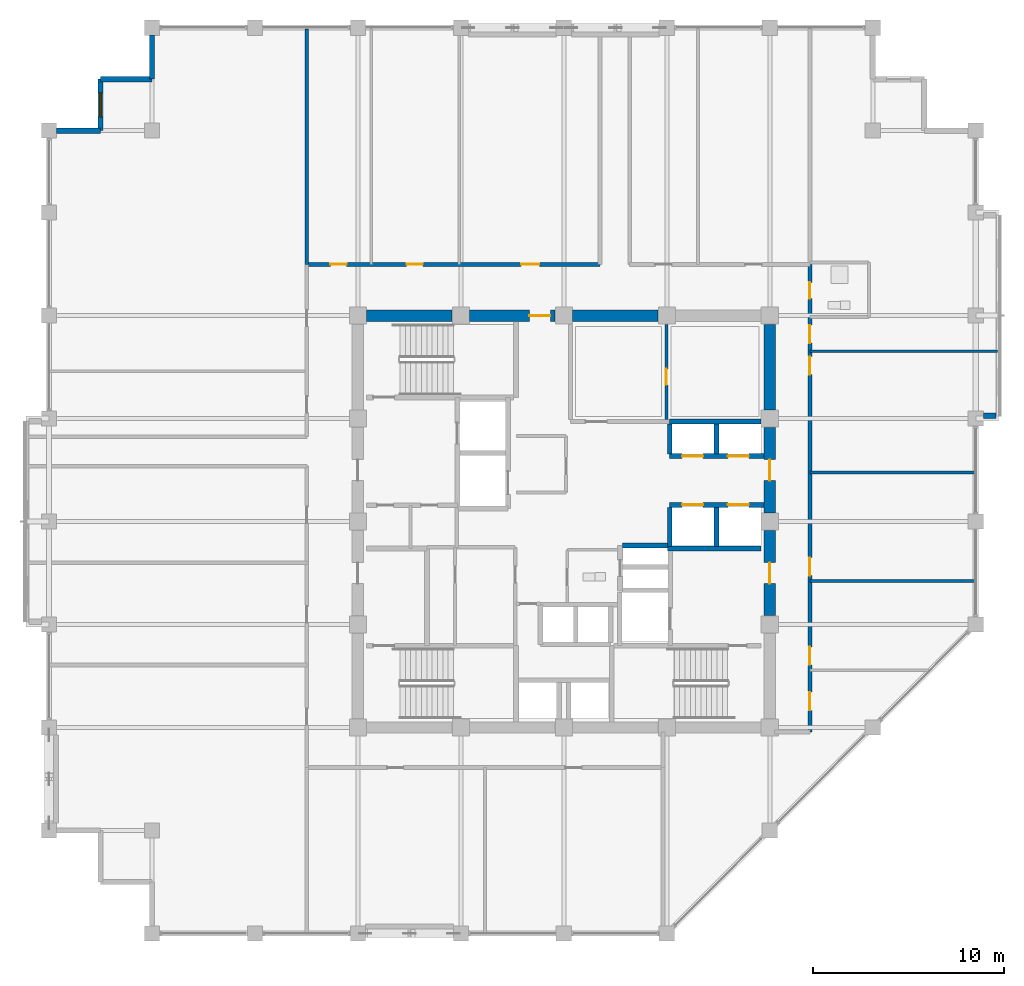
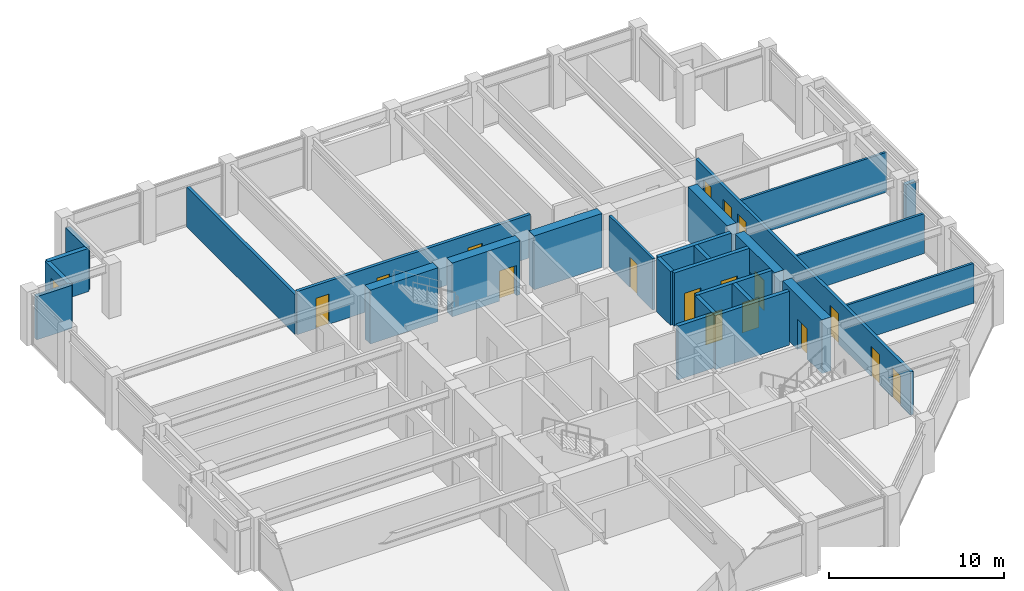
# One storey, part 26 of 30: 27 walls, 17 doors, 1 window, 18 openings.
"""IFC4 building model written with IfcOpenShell, lengths in metres."""

from ifc_helpers import new_model, si_unit, direction, frame, frame_2d, origin, place, context, subcontext, project, spatial, rectangle, extrude, material, layer, layer_set, type_object, element, fill, save


model = new_model("IFC4")

# Units and contexts
model_context = context("Model", 3, precision=1e-05, world=origin(), true_north=direction((0.0, 1.0)))
body_context = subcontext(model_context, "Body", "Model", "MODEL_VIEW")
ifc_project = project(units=[si_unit("LENGTHUNIT", "METRE"), si_unit("AREAUNIT", "SQUARE_METRE"), si_unit("VOLUMEUNIT", "CUBIC_METRE"), si_unit("PLANEANGLEUNIT", "RADIAN"), si_unit("MASSUNIT", "GRAM", prefix="KILO")], contexts=[model_context])

# Site, building, storey
site_placement = place(None, origin())
site = spatial("IfcSite", under=ifc_project, at=site_placement, CompositionType="ELEMENT")
building_placement = place(site_placement, origin())
building = spatial("IfcBuilding", under=site, at=building_placement, Name="Surkhivell Harbour Commons", CompositionType="ELEMENT")
storey_placement = place(building_placement, frame((0.0, 0.0, 231.0)))
storey = spatial("IfcBuildingStorey", under=building, at=storey_placement, Name="L60", CompositionType="ELEMENT", Elevation=231.0)

# Wall
ifc_material_1 = material(Name="Concrete C60/75", Category="concrete")
ifc_layer_1 = layer(ifc_material_1, 0.60009765625)
ifc_layer_set_1 = layer_set([ifc_layer_1], Name="Concrete C60/75")
wall_type_1 = type_object("IfcWallType", Name="WAL-CORE-600", PredefinedType="SHEAR", material=ifc_layer_set_1)
wall_1_placement = place(storey_placement, frame((-10.340087890625, 10.800048828125, 0.0), z_axis=(0.0, 0.0, 1.0), x_axis=(1.0, 0.0, 0.0)))
element("IfcWall", 1, at=wall_1_placement, inside=storey, type_object=wall_type_1, Name="L60 Core Shear Wall North 1", PredefinedType="SHEAR", context=body_context, shape_type="SweptSolid", body=[
    extrude(rectangle(XDim=4.47998046875, YDim=0.60009765625, at=frame_2d((2.239990234375, 0.0))), origin(), (0.0, 0.0, 1.0), 3.75),
])

# Wall, opening, door
wall_2_placement = place(storey_placement, frame((-4.93994140625, 10.800048828125, 0.0), z_axis=(0.0, 0.0, 1.0), x_axis=(1.0, 0.0, 0.0)))
wall_2 = element("IfcWall", 2, at=wall_2_placement, inside=storey, type_object=wall_type_1, Name="L60 Core Shear Wall North 2", PredefinedType="SHEAR", context=body_context, shape_type="SweptSolid", body=[
    extrude(rectangle(XDim=4.47998046875, YDim=0.60009765625, at=frame_2d((2.239990234375, 0.0))), origin(), (0.0, 0.0, 1.0), 3.75),
])
opening_1_placement = place(wall_2_placement, frame((3.1298828125, 0.0, 0.0)))
opening_1 = element("IfcOpeningElement", 3, at=opening_1_placement, cuts=wall_2, Name="Opening ID-2", PredefinedType="OPENING", context=body_context, shape_type="SweptSolid", body=[
    extrude(rectangle(XDim=1.10009765625, YDim=2.10009765625, at=frame_2d((0.550048828125, 1.050048828125))), frame((0.0, 0.31005859375, 0.0), z_axis=(0.0, -1.0, 0.0), x_axis=(1.0, 0.0, 0.0)), (0.0, 0.0, 1.0), 0.6201171875),
])
ifc_material_2 = material(Name="Hardwood-veneered fire-rated door leaf", Category="wood")
door_type_1 = type_object("IfcDoorType", Name="DOR-FD60-1100", OperationType="NOTDEFINED", PredefinedType="DOOR", material=ifc_material_2)
door_1_placement = place(opening_1_placement, origin())
door_1 = element("IfcDoor", 4, at=door_1_placement, inside=storey, type_object=door_type_1, Name="L60 Central Core Lift Hall North Corridor Door", OperationType="SINGLE_SWING_LEFT", OverallHeight=2.10009765625, OverallWidth=1.10009765625, PredefinedType="DOOR", context=body_context, shape_type="SweptSolid", body=[
    extrude(rectangle(XDim=1.10009765625, YDim=2.10009765625, at=frame_2d((0.550048828125, 1.050048828125))), frame((0.0, 0.02490234375, 0.0), z_axis=(0.0, -1.0, 0.0), x_axis=(1.0, 0.0, 0.0)), (0.0, 0.0, 1.0), 0.050048828125),
])
fill(opening_1, door_1)

wall_3_placement = place(storey_placement, frame((10.800048828125, -4.93994140625, 0.0), z_axis=(0.0, 0.0, 1.0), x_axis=(0.0, 1.0, 0.0)))
wall_3 = element("IfcWall", 5, at=wall_3_placement, inside=storey, type_object=wall_type_1, Name="L60 Core Shear Wall East 2", PredefinedType="SHEAR", context=body_context, shape_type="SweptSolid", body=[
    extrude(rectangle(XDim=4.47998046875, YDim=0.60009765625, at=frame_2d((2.239990234375, 0.0))), origin(), (0.0, 0.0, 1.0), 3.75),
])
opening_2_placement = place(wall_3_placement, frame((1.68994140625, 0.0, 0.0)))
opening_2 = element("IfcOpeningElement", 6, at=opening_2_placement, cuts=wall_3, Name="Opening ID-1", PredefinedType="OPENING", context=body_context, shape_type="SweptSolid", body=[
    extrude(rectangle(XDim=1.10009765625, YDim=2.10009765625, at=frame_2d((0.550048828125, 1.050048828125))), frame((0.0, 0.31005859375, 0.0), z_axis=(0.0, -1.0, 0.0), x_axis=(1.0, 0.0, 0.0)), (0.0, 0.0, 1.0), 0.6201171875),
])
door_type_2 = type_object("IfcDoorType", Name="DOR-FD120-1100", OperationType="NOTDEFINED", PredefinedType="DOOR", material=ifc_material_2)
door_2_placement = place(opening_2_placement, origin())
door_2 = element("IfcDoor", 7, at=door_2_placement, inside=storey, type_object=door_type_2, Name="L60 Firefighting Lobby 2 Corridor Door", OperationType="SINGLE_SWING_RIGHT", OverallHeight=2.10009765625, OverallWidth=1.10009765625, PredefinedType="DOOR", context=body_context, shape_type="SweptSolid", body=[
    extrude(rectangle(XDim=1.10009765625, YDim=2.10009765625, at=frame_2d((0.550048828125, 1.050048828125))), frame((0.0, 0.02490234375, 0.0), z_axis=(0.0, -1.0, 0.0), x_axis=(1.0, 0.0, 0.0)), (0.0, 0.0, 1.0), 0.050048828125),
])
fill(opening_2, door_2)

# Wall
wall_4_placement = place(storey_placement, frame((0.4599609375, 10.800048828125, 0.0), z_axis=(0.0, 0.0, 1.0), x_axis=(1.0, 0.0, 0.0)))
element("IfcWall", 8, at=wall_4_placement, inside=storey, type_object=wall_type_1, Name="L60 Core Shear Wall North 3", PredefinedType="SHEAR", context=body_context, shape_type="SweptSolid", body=[
    extrude(rectangle(XDim=4.47998046875, YDim=0.60009765625, at=frame_2d((2.239990234375, 0.0))), origin(), (0.0, 0.0, 1.0), 3.75),
])

# Wall, opening, door
wall_5_placement = place(storey_placement, frame((10.800048828125, 0.4599609375, 0.0), z_axis=(0.0, 0.0, 1.0), x_axis=(0.0, 1.0, 0.0)))
wall_5 = element("IfcWall", 9, at=wall_5_placement, inside=storey, type_object=wall_type_1, Name="L60 Core Shear Wall East 3", PredefinedType="SHEAR", context=body_context, shape_type="SweptSolid", body=[
    extrude(rectangle(XDim=4.47998046875, YDim=0.60009765625, at=frame_2d((2.239990234375, 0.0))), origin(), (0.0, 0.0, 1.0), 3.75),
])
opening_3_placement = place(wall_5_placement, frame((1.68994140625, 0.0, 0.0)))
opening_3 = element("IfcOpeningElement", 10, at=opening_3_placement, cuts=wall_5, Name="Opening ID-2", PredefinedType="OPENING", context=body_context, shape_type="SweptSolid", body=[
    extrude(rectangle(XDim=1.10009765625, YDim=2.10009765625, at=frame_2d((0.550048828125, 1.050048828125))), frame((0.0, 0.31005859375, 0.0), z_axis=(0.0, -1.0, 0.0), x_axis=(1.0, 0.0, 0.0)), (0.0, 0.0, 1.0), 0.6201171875),
])
door_3_placement = place(opening_3_placement, origin())
door_3 = element("IfcDoor", 11, at=door_3_placement, inside=storey, type_object=door_type_1, Name="L60 Mid-Rise Lobby East Door", OperationType="SINGLE_SWING_LEFT", OverallHeight=2.10009765625, OverallWidth=1.10009765625, PredefinedType="DOOR", context=body_context, shape_type="SweptSolid", body=[
    extrude(rectangle(XDim=1.10009765625, YDim=2.10009765625, at=frame_2d((0.550048828125, 1.050048828125))), frame((0.0, 0.02490234375, 0.0), z_axis=(0.0, -1.0, 0.0), x_axis=(1.0, 0.0, 0.0)), (0.0, 0.0, 1.0), 0.050048828125),
])
fill(opening_3, door_3)

# Walls
wall_6_placement = place(storey_placement, frame((10.800048828125, 5.860107421875, 0.0), z_axis=(0.0, 0.0, 1.0), x_axis=(0.0, 1.0, 0.0)))
element("IfcWall", 12, at=wall_6_placement, inside=storey, type_object=wall_type_1, Name="L60 Core Shear Wall East 4", PredefinedType="SHEAR", context=body_context, shape_type="SweptSolid", body=[
    extrude(rectangle(XDim=4.47998046875, YDim=0.60009765625, at=frame_2d((2.239990234375, 0.0))), origin(), (0.0, 0.0, 1.0), 3.75),
])
ifc_material_3 = material(Name="Terracotta-clad reinforced concrete C45/55", Category="masonry")
ifc_layer_2 = layer(ifc_material_3, 0.280029296875)
ifc_layer_set_2 = layer_set([ifc_layer_2], Name="Terracotta-clad reinforced concrete C45/55")
wall_type_2 = type_object("IfcWallType", Name="WAL-EXT-TER280", PredefinedType="STANDARD", material=ifc_layer_set_2)
wall_7_placement = place(storey_placement, frame((22.00390625, 5.5400390625, 0.0), z_axis=(0.0, 0.0, 1.0), x_axis=(1.0, 0.0, 0.0)))
element("IfcWall", 13, at=wall_7_placement, inside=storey, type_object=wall_type_2, Name="L60 Coloured Box Return Wall 01S", PredefinedType="STANDARD", context=body_context, shape_type="SweptSolid", body=[
    extrude(rectangle(XDim=0.656005859375, YDim=0.280029296875, at=frame_2d((0.328125, 0.0))), origin(), (0.0, 0.0, 1.0), 2.85693359375),
])
wall_8_placement = place(storey_placement, frame((-21.60009765625, 25.501953125, 0.0), z_axis=(0.0, 0.0, 1.0), x_axis=(0.0, -1.0, 0.0)))
element("IfcWall", 14, at=wall_8_placement, inside=storey, type_object=wall_type_2, Name="L60 Serrated Corner Facade Wall 08", PredefinedType="STANDARD", context=body_context, shape_type="SweptSolid", body=[
    extrude(rectangle(XDim=2.302001953125, YDim=0.280029296875, at=frame_2d((1.15087890625, 0.0))), origin(), (0.0, 0.0, 1.0), 3.006103515625),
])
wall_9_placement = place(storey_placement, frame((-21.60009765625, 23.199951171875, 0.0), z_axis=(0.0, 0.0, 1.0), x_axis=(-1.0, 0.0, 0.0)))
element("IfcWall", 15, at=wall_9_placement, inside=storey, type_object=wall_type_2, Name="L60 Serrated Corner Facade Wall 09", PredefinedType="STANDARD", context=body_context, shape_type="SweptSolid", body=[
    extrude(rectangle(XDim=2.699951171875, YDim=0.280029296875, at=frame_2d((1.35009765625, 0.0))), origin(), (0.0, 0.0, 1.0), 3.006103515625),
])

# Wall, opening, window
wall_10_placement = place(storey_placement, frame((-24.300048828125, 23.199951171875, 0.0), z_axis=(0.0, 0.0, 1.0), x_axis=(0.0, -1.0, 0.0)))
wall_10 = element("IfcWall", 16, at=wall_10_placement, inside=storey, type_object=wall_type_2, Name="L60 Serrated Corner Facade Wall 10", PredefinedType="STANDARD", context=body_context, shape_type="SweptSolid", body=[
    extrude(rectangle(XDim=2.699951171875, YDim=0.280029296875, at=frame_2d((1.35009765625, 0.0))), origin(), (0.0, 0.0, 1.0), 3.006103515625),
])
opening_4_placement = place(wall_10_placement, frame((0.72509765625, 0.0, 0.64990234375)))
opening_4 = element("IfcOpeningElement", 17, at=opening_4_placement, cuts=wall_10, Name="Opening WN-09", PredefinedType="OPENING", context=body_context, shape_type="SweptSolid", body=[
    extrude(rectangle(XDim=1.25, YDim=1.60009765625, at=frame_2d((0.625, 0.800048828125))), frame((0.0, 0.14990234375, 0.0), z_axis=(0.0, -1.0, 0.0), x_axis=(1.0, 0.0, 0.0)), (0.0, 0.0, 1.0), 0.300048828125),
])
ifc_material_4 = material(Name="Thermal-break aluminium frame and double low-E glazing", Category="aluminium")
window_type = type_object("IfcWindowType", Name="WIN-SER-1250x1600", PartitioningType="SINGLE_PANEL", PredefinedType="WINDOW", material=ifc_material_4)
window_placement = place(opening_4_placement, origin())
window = element("IfcWindow", 18, at=window_placement, inside=storey, type_object=window_type, Name="L60 Serrated Alcove Window 10", OverallHeight=1.60009765625, OverallWidth=1.25, PartitioningType="SINGLE_PANEL", PredefinedType="WINDOW", context=body_context, shape_type="SweptSolid", body=[
    extrude(rectangle(XDim=1.25, YDim=1.60009765625, at=frame_2d((0.625, 0.800048828125))), frame((0.0, 0.030029296875, 0.0), z_axis=(0.0, -1.0, 0.0), x_axis=(1.0, 0.0, 0.0)), (0.0, 0.0, 1.0), 0.06005859375),
])
fill(opening_4, window)

# Wall
wall_11_placement = place(storey_placement, frame((-24.300048828125, 20.5, 0.0), z_axis=(0.0, 0.0, 1.0), x_axis=(-1.0, 0.0, 0.0)))
element("IfcWall", 19, at=wall_11_placement, inside=storey, type_object=wall_type_2, Name="L60 Serrated Corner Facade Wall 11", PredefinedType="STANDARD", context=body_context, shape_type="SweptSolid", body=[
    extrude(rectangle(XDim=2.302001953125, YDim=0.280029296875, at=frame_2d((1.15087890625, 0.0))), origin(), (0.0, 0.0, 1.0), 3.006103515625),
])

# Wall, opening, door
ifc_material_5 = material(Name="Twin-stud acoustic fireboard partition", Category="other")
ifc_layer_3 = layer(ifc_material_5, 0.14990234375)
ifc_layer_set_3 = layer_set([ifc_layer_3], Name="Twin-stud acoustic fireboard partition")
wall_type_3 = type_object("IfcWallType", Name="WAL-INT-150", PredefinedType="PARTITIONING", material=ifc_layer_set_3)
wall_12_placement = place(storey_placement, frame((5.3798828125, 5.360107421875, 0.0), z_axis=(0.0, 0.0, 1.0), x_axis=(0.0, 1.0, 0.0)))
wall_12 = element("IfcWall", 20, at=wall_12_placement, inside=storey, type_object=wall_type_3, Name="L60 Core Library Divider", PredefinedType="PARTITIONING", context=body_context, shape_type="SweptSolid", body=[
    extrude(rectangle(XDim=4.97998046875, YDim=0.14990234375, at=frame_2d((2.489990234375, 0.0))), origin(), (0.0, 0.0, 1.0), 3.570068359375),
])
opening_5_placement = place(wall_12_placement, frame((1.800048828125, 0.0, 0.0)))
opening_5 = element("IfcOpeningElement", 21, at=opening_5_placement, cuts=wall_12, Name="Opening ID-6", PredefinedType="OPENING", context=body_context, shape_type="SweptSolid", body=[
    extrude(rectangle(XDim=0.85009765625, YDim=2.10009765625, at=frame_2d((0.425048828125, 1.050048828125))), frame((0.0, 0.0849609375, 0.0), z_axis=(0.0, -1.0, 0.0), x_axis=(1.0, 0.0, 0.0)), (0.0, 0.0, 1.0), 0.169921875),
])
door_type_3 = type_object("IfcDoorType", Name="DOR-FD30-850", OperationType="NOTDEFINED", PredefinedType="DOOR", material=ifc_material_2)
door_4_placement = place(opening_5_placement, origin())
door_4 = element("IfcDoor", 22, at=door_4_placement, inside=storey, type_object=door_type_3, Name="L60 Core Reading Door", OperationType="SINGLE_SWING_RIGHT", OverallHeight=2.10009765625, OverallWidth=0.85009765625, PredefinedType="DOOR", context=body_context, shape_type="SweptSolid", body=[
    extrude(rectangle(XDim=0.85009765625, YDim=2.10009765625, at=frame_2d((0.425048828125, 1.050048828125))), frame((0.0, 0.02490234375, 0.0), z_axis=(0.0, -1.0, 0.0), x_axis=(1.0, 0.0, 0.0)), (0.0, 0.0, 1.0), 0.050048828125),
])
fill(opening_5, door_4)

# Walls
for number, where, z_axis, x_axis, name in (
    (23, (12.89990234375, -3.1201171875, 0.0), (0.0, 0.0, 1.0), (1.0, 0.0, 0.0), "L60 East Partition BDP1"),
    (24, (12.89990234375, 2.570068359375, 0.0), (0.0, 0.0, 1.0), (1.0, 0.0, 0.0), "L60 East Partition BDP2"),
):
    element("IfcWall", number, at=place(storey_placement, frame(where, z_axis=z_axis, x_axis=x_axis)), inside=storey, type_object=wall_type_3, Name=name, PredefinedType="PARTITIONING", context=body_context, shape_type="SweptSolid", body=[
        extrude(rectangle(XDim=8.64013671875, YDim=0.14990234375, at=frame_2d((4.320068359375, 0.0))), origin(), (0.0, 0.0, 1.0), 2.780029296875),
    ])
wall_13_placement = place(storey_placement, frame((12.89990234375, 8.929931640625, 0.0), z_axis=(0.0, 0.0, 1.0), x_axis=(1.0, 0.0, 0.0)))
element("IfcWall", 25, at=wall_13_placement, inside=storey, type_object=wall_type_3, Name="L60 East Partition PTOP", PredefinedType="PARTITIONING", context=body_context, shape_type="SweptSolid", body=[
    extrude(rectangle(XDim=9.840087890625, YDim=0.14990234375, at=frame_2d((4.919921875, 0.0))), origin(), (0.0, 0.0, 1.0), 2.780029296875),
])
ifc_material_6 = material(Name="Autoclaved aerated concrete blockwork and fire plaster", Category="masonry")
ifc_layer_4 = layer(ifc_material_6, 0.199951171875)
ifc_layer_set_4 = layer_set([ifc_layer_4], Name="Autoclaved aerated concrete blockwork and fire plaster")
wall_type_4 = type_object("IfcWallType", Name="WAL-INT-200", PredefinedType="PARTITIONING", material=ifc_layer_set_4)
wall_14_placement = place(storey_placement, frame((-13.47998046875, 13.47998046875, 0.0), z_axis=(0.0, 0.0, 1.0), x_axis=(0.0, 1.0, 0.0)))
element("IfcWall", 26, at=wall_14_placement, inside=storey, type_object=wall_type_4, Name="L60 North-West Corner Wall", PredefinedType="PARTITIONING", context=body_context, shape_type="SweptSolid", body=[
    extrude(rectangle(XDim=12.360107421875, YDim=0.199951171875, at=frame_2d((6.18017578125, 0.0))), origin(), (0.0, 0.0, 1.0), 2.780029296875),
])

# Wall, openings, doors
wall_15_placement = place(storey_placement, frame((12.89990234375, -11.0400390625, 0.0), z_axis=(0.0, 0.0, 1.0), x_axis=(0.0, 1.0, 0.0)))
wall_15 = element("IfcWall", 27, at=wall_15_placement, inside=storey, type_object=wall_type_4, Name="L60 Corridor East Wall", PredefinedType="PARTITIONING", context=body_context, shape_type="SweptSolid", body=[
    extrude(rectangle(XDim=24.52001953125, YDim=0.199951171875, at=frame_2d((12.260009765625, 0.0))), origin(), (0.0, 0.0, 1.0), 3.006103515625),
])
opening_6_placement = place(wall_15_placement, frame((1.139892578125, 0.0, 0.0)))
opening_6 = element("IfcOpeningElement", 28, at=opening_6_placement, cuts=wall_15, Name="Opening ID-4", PredefinedType="OPENING", context=body_context, shape_type="SweptSolid", body=[
    extrude(rectangle(XDim=0.949951171875, YDim=2.10009765625, at=frame_2d((0.47509765625, 1.050048828125))), frame((0.0, 0.10986328125, 0.0), z_axis=(0.0, -1.0, 0.0), x_axis=(1.0, 0.0, 0.0)), (0.0, 0.0, 1.0), 0.219970703125),
])
opening_7_placement = place(wall_15_placement, frame((22.72509765625, 0.0, 0.0)))
opening_7 = element("IfcOpeningElement", 29, at=opening_7_placement, cuts=wall_15, Name="Opening ID-6", PredefinedType="OPENING", context=body_context, shape_type="SweptSolid", body=[
    extrude(rectangle(XDim=0.85009765625, YDim=2.10009765625, at=frame_2d((0.425048828125, 1.050048828125))), frame((0.0, 0.10986328125, 0.0), z_axis=(0.0, -1.0, 0.0), x_axis=(1.0, 0.0, 0.0)), (0.0, 0.0, 1.0), 0.219970703125),
])
opening_8_placement = place(wall_15_placement, frame((20.389892578125, 0.0, 0.0)))
opening_8 = element("IfcOpeningElement", 30, at=opening_8_placement, cuts=wall_15, Name="Opening ID-4", PredefinedType="OPENING", context=body_context, shape_type="SweptSolid", body=[
    extrude(rectangle(XDim=0.949951171875, YDim=2.10009765625, at=frame_2d((0.47509765625, 1.050048828125))), frame((0.0, 0.10986328125, 0.0), z_axis=(0.0, -1.0, 0.0), x_axis=(1.0, 0.0, 0.0)), (0.0, 0.0, 1.0), 0.219970703125),
])
opening_9_placement = place(wall_15_placement, frame((3.52001953125, 0.0, 0.0)))
opening_9 = element("IfcOpeningElement", 31, at=opening_9_placement, cuts=wall_15, Name="Opening ID-4", PredefinedType="OPENING", context=body_context, shape_type="SweptSolid", body=[
    extrude(rectangle(XDim=0.949951171875, YDim=2.10009765625, at=frame_2d((0.47509765625, 1.050048828125))), frame((0.0, 0.10986328125, 0.0), z_axis=(0.0, -1.0, 0.0), x_axis=(1.0, 0.0, 0.0)), (0.0, 0.0, 1.0), 0.219970703125),
])
opening_10_placement = place(wall_15_placement, frame((8.199951171875, 0.0, 0.0)))
opening_10 = element("IfcOpeningElement", 32, at=opening_10_placement, cuts=wall_15, Name="Opening ID-4", PredefinedType="OPENING", context=body_context, shape_type="SweptSolid", body=[
    extrude(rectangle(XDim=0.949951171875, YDim=2.10009765625, at=frame_2d((0.47509765625, 1.050048828125))), frame((0.0, 0.10986328125, 0.0), z_axis=(0.0, -1.0, 0.0), x_axis=(1.0, 0.0, 0.0)), (0.0, 0.0, 1.0), 0.219970703125),
])
opening_11_placement = place(wall_15_placement, frame((18.739990234375, 0.0, 0.0)))
opening_11 = element("IfcOpeningElement", 33, at=opening_11_placement, cuts=wall_15, Name="Opening ID-4", PredefinedType="OPENING", context=body_context, shape_type="SweptSolid", body=[
    extrude(rectangle(XDim=0.949951171875, YDim=2.10009765625, at=frame_2d((0.47509765625, 1.050048828125))), frame((0.0, 0.10986328125, 0.0), z_axis=(0.0, -1.0, 0.0), x_axis=(1.0, 0.0, 0.0)), (0.0, 0.0, 1.0), 0.219970703125),
])
door_5_placement = place(opening_7_placement, origin())
door_5 = element("IfcDoor", 34, at=door_5_placement, inside=storey, type_object=door_type_3, Name="L60 Communal Shower Bathroom East Door", OperationType="SINGLE_SWING_RIGHT", OverallHeight=2.10009765625, OverallWidth=0.85009765625, PredefinedType="DOOR", context=body_context, shape_type="SweptSolid", body=[
    extrude(rectangle(XDim=0.85009765625, YDim=2.10009765625, at=frame_2d((0.425048828125, 1.050048828125))), frame((0.0, 0.02490234375, 0.0), z_axis=(0.0, -1.0, 0.0), x_axis=(1.0, 0.0, 0.0)), (0.0, 0.0, 1.0), 0.050048828125),
])
fill(opening_7, door_5)
door_type_4 = type_object("IfcDoorType", Name="DOR-FD60-950", OperationType="NOTDEFINED", PredefinedType="DOOR", material=ifc_material_2)
door_6_placement = place(opening_6_placement, origin())
door_6 = element("IfcDoor", 35, at=door_6_placement, inside=storey, type_object=door_type_4, Name="L60 Shared Communal Kitchen East Door", OperationType="SINGLE_SWING_LEFT", OverallHeight=2.10009765625, OverallWidth=0.949951171875, PredefinedType="DOOR", context=body_context, shape_type="SweptSolid", body=[
    extrude(rectangle(XDim=0.949951171875, YDim=2.10009765625, at=frame_2d((0.47509765625, 1.050048828125))), frame((0.0, 0.02490234375, 0.0), z_axis=(0.0, -1.0, 0.0), x_axis=(1.0, 0.0, 0.0)), (0.0, 0.0, 1.0), 0.050048828125),
])
fill(opening_6, door_6)
door_7_placement = place(opening_8_placement, origin())
door_7 = element("IfcDoor", 36, at=door_7_placement, inside=storey, type_object=door_type_4, Name="L60 Academic Reading Commons East Door", OperationType="SINGLE_SWING_LEFT", OverallHeight=2.10009765625, OverallWidth=0.949951171875, PredefinedType="DOOR", context=body_context, shape_type="SweptSolid", body=[
    extrude(rectangle(XDim=0.949951171875, YDim=2.10009765625, at=frame_2d((0.47509765625, 1.050048828125))), frame((0.0, 0.02490234375, 0.0), z_axis=(0.0, -1.0, 0.0), x_axis=(1.0, 0.0, 0.0)), (0.0, 0.0, 1.0), 0.050048828125),
])
fill(opening_8, door_7)
door_8_placement = place(opening_9_placement, origin())
door_8 = element("IfcDoor", 37, at=door_8_placement, inside=storey, type_object=door_type_4, Name="L60 Hostel Cluster Bedroom 1 East Door", OperationType="SINGLE_SWING_RIGHT", OverallHeight=2.10009765625, OverallWidth=0.949951171875, PredefinedType="DOOR", context=body_context, shape_type="SweptSolid", body=[
    extrude(rectangle(XDim=0.949951171875, YDim=2.10009765625, at=frame_2d((0.47509765625, 1.050048828125))), frame((0.0, 0.02490234375, 0.0), z_axis=(0.0, -1.0, 0.0), x_axis=(1.0, 0.0, 0.0)), (0.0, 0.0, 1.0), 0.050048828125),
])
fill(opening_9, door_8)
door_9_placement = place(opening_10_placement, origin())
door_9 = element("IfcDoor", 38, at=door_9_placement, inside=storey, type_object=door_type_4, Name="L60 Co-Living Dormitory Bedroom 2 East Door", OperationType="SINGLE_SWING_LEFT", OverallHeight=2.10009765625, OverallWidth=0.949951171875, PredefinedType="DOOR", context=body_context, shape_type="SweptSolid", body=[
    extrude(rectangle(XDim=0.949951171875, YDim=2.10009765625, at=frame_2d((0.47509765625, 1.050048828125))), frame((0.0, 0.02490234375, 0.0), z_axis=(0.0, -1.0, 0.0), x_axis=(1.0, 0.0, 0.0)), (0.0, 0.0, 1.0), 0.050048828125),
])
fill(opening_10, door_9)
door_10_placement = place(opening_11_placement, origin())
door_10 = element("IfcDoor", 39, at=door_10_placement, inside=storey, type_object=door_type_4, Name="L60 Hostel Cluster Bedroom 3 East Door", OperationType="SINGLE_SWING_RIGHT", OverallHeight=2.10009765625, OverallWidth=0.949951171875, PredefinedType="DOOR", context=body_context, shape_type="SweptSolid", body=[
    extrude(rectangle(XDim=0.949951171875, YDim=2.10009765625, at=frame_2d((0.47509765625, 1.050048828125))), frame((0.0, 0.02490234375, 0.0), z_axis=(0.0, -1.0, 0.0), x_axis=(1.0, 0.0, 0.0)), (0.0, 0.0, 1.0), 0.050048828125),
])
fill(opening_11, door_10)

wall_16_placement = place(storey_placement, frame((-13.47998046875, 13.47998046875, 0.0), z_axis=(0.0, 0.0, 1.0), x_axis=(1.0, 0.0, 0.0)))
wall_16 = element("IfcWall", 40, at=wall_16_placement, inside=storey, type_object=wall_type_4, Name="L60 Corridor North-West Wall", PredefinedType="PARTITIONING", context=body_context, shape_type="SweptSolid", body=[
    extrude(rectangle(XDim=15.3798828125, YDim=0.199951171875, at=frame_2d((7.68994140625, 0.0))), origin(), (0.0, 0.0, 1.0), 3.006103515625),
])
opening_12_placement = place(wall_16_placement, frame((1.239990234375, 0.0, 0.0)))
opening_12 = element("IfcOpeningElement", 41, at=opening_12_placement, cuts=wall_16, Name="Opening ID-6", PredefinedType="OPENING", context=body_context, shape_type="SweptSolid", body=[
    extrude(rectangle(XDim=0.85009765625, YDim=2.10009765625, at=frame_2d((0.425048828125, 1.050048828125))), frame((0.0, 0.10986328125, 0.0), z_axis=(0.0, -1.0, 0.0), x_axis=(1.0, 0.0, 0.0)), (0.0, 0.0, 1.0), 0.219970703125),
])
opening_13_placement = place(wall_16_placement, frame((5.239990234375, 0.0, 0.0)))
opening_13 = element("IfcOpeningElement", 42, at=opening_13_placement, cuts=wall_16, Name="Opening ID-6", PredefinedType="OPENING", context=body_context, shape_type="SweptSolid", body=[
    extrude(rectangle(XDim=0.85009765625, YDim=2.10009765625, at=frame_2d((0.425048828125, 1.050048828125))), frame((0.0, 0.10986328125, 0.0), z_axis=(0.0, -1.0, 0.0), x_axis=(1.0, 0.0, 0.0)), (0.0, 0.0, 1.0), 0.219970703125),
])
opening_14_placement = place(wall_16_placement, frame((11.239990234375, 0.0, 0.0)))
opening_14 = element("IfcOpeningElement", 43, at=opening_14_placement, cuts=wall_16, Name="Opening ID-4", PredefinedType="OPENING", context=body_context, shape_type="SweptSolid", body=[
    extrude(rectangle(XDim=0.949951171875, YDim=2.10009765625, at=frame_2d((0.47509765625, 1.050048828125))), frame((0.0, 0.10986328125, 0.0), z_axis=(0.0, -1.0, 0.0), x_axis=(1.0, 0.0, 0.0)), (0.0, 0.0, 1.0), 0.219970703125),
])
door_11_placement = place(opening_12_placement, origin())
door_11 = element("IfcDoor", 44, at=door_11_placement, inside=storey, type_object=door_type_3, Name="L60 Co-Working Study Office 1 North-West Door", OperationType="SINGLE_SWING_RIGHT", OverallHeight=2.10009765625, OverallWidth=0.85009765625, PredefinedType="DOOR", context=body_context, shape_type="SweptSolid", body=[
    extrude(rectangle(XDim=0.85009765625, YDim=2.10009765625, at=frame_2d((0.425048828125, 1.050048828125))), frame((0.0, 0.02490234375, 0.0), z_axis=(0.0, -1.0, 0.0), x_axis=(1.0, 0.0, 0.0)), (0.0, 0.0, 1.0), 0.050048828125),
])
fill(opening_12, door_11)
door_12_placement = place(opening_13_placement, origin())
door_12 = element("IfcDoor", 45, at=door_12_placement, inside=storey, type_object=door_type_3, Name="L60 Co-Working Study Office 2 North-West Door", OperationType="SINGLE_SWING_LEFT", OverallHeight=2.10009765625, OverallWidth=0.85009765625, PredefinedType="DOOR", context=body_context, shape_type="SweptSolid", body=[
    extrude(rectangle(XDim=0.85009765625, YDim=2.10009765625, at=frame_2d((0.425048828125, 1.050048828125))), frame((0.0, 0.02490234375, 0.0), z_axis=(0.0, -1.0, 0.0), x_axis=(1.0, 0.0, 0.0)), (0.0, 0.0, 1.0), 0.050048828125),
])
fill(opening_13, door_12)
door_13_placement = place(opening_14_placement, origin())
door_13 = element("IfcDoor", 46, at=door_13_placement, inside=storey, type_object=door_type_4, Name="L60 Co-Working Study Office 3 North-West Door", OperationType="SINGLE_SWING_RIGHT", OverallHeight=2.10009765625, OverallWidth=0.949951171875, PredefinedType="DOOR", context=body_context, shape_type="SweptSolid", body=[
    extrude(rectangle(XDim=0.949951171875, YDim=2.10009765625, at=frame_2d((0.47509765625, 1.050048828125))), frame((0.0, 0.02490234375, 0.0), z_axis=(0.0, -1.0, 0.0), x_axis=(1.0, 0.0, 0.0)), (0.0, 0.0, 1.0), 0.050048828125),
])
fill(opening_14, door_13)

# Walls
ifc_material_7 = material(Name="Concrete C50/60", Category="concrete")
ifc_layer_5 = layer(ifc_material_7, 0.25)
ifc_layer_set_5 = layer_set([ifc_layer_5], Name="Concrete C50/60")
wall_type_5 = type_object("IfcWallType", Name="WAL-SHAFT-250", PredefinedType="SHEAR", material=ifc_layer_set_5)
wall_17_placement = place(storey_placement, frame((5.43994140625, -1.419921875, 0.0), z_axis=(0.0, 0.0, 1.0), x_axis=(1.0, 0.0, 0.0)))
element("IfcWall", 47, at=wall_17_placement, inside=storey, type_object=wall_type_5, Name="L60 Firefighting Lobby 2 North Wall", PredefinedType="SHEAR", context=body_context, shape_type="SweptSolid", body=[
    extrude(rectangle(XDim=4.900146484375, YDim=0.25, at=frame_2d((2.4501953125, 0.0))), origin(), (0.0, 0.0, 1.0), 3.75),
])
for number, where, z_axis, x_axis, name in (
    (48, (5.550048828125, 3.550048828125, 0.0), (0.0, 0.0, 1.0), (0.0, 1.0, 0.0), "L60 Mid-Rise Shaft Side Wall N"),
    (49, (8.0, 3.550048828125, 0.0), (0.0, 0.0, 1.0), (0.0, 1.0, 0.0), "L60 Mid-Rise Shaft Side Wall N"),
):
    element("IfcWall", number, at=place(storey_placement, frame(where, z_axis=z_axis, x_axis=x_axis)), inside=storey, type_object=wall_type_5, Name=name, PredefinedType="SHEAR", context=body_context, shape_type="SweptSolid", body=[
        extrude(rectangle(XDim=1.570068359375, YDim=0.25, at=frame_2d((0.78515625, 0.0))), origin(), (0.0, 0.0, 1.0), 3.75),
    ])
for number, where, z_axis, x_axis, name in (
    (50, (5.550048828125, -1.300048828125, 0.0), (0.0, 0.0, 1.0), (0.0, 1.0, 0.0), "L60 Mid-Rise Shaft Side Wall S"),
    (51, (8.0, -1.300048828125, 0.0), (0.0, 0.0, 1.0), (0.0, 1.0, 0.0), "L60 Mid-Rise Shaft Side Wall S"),
):
    element("IfcWall", number, at=place(storey_placement, frame(where, z_axis=z_axis, x_axis=x_axis)), inside=storey, type_object=wall_type_5, Name=name, PredefinedType="SHEAR", context=body_context, shape_type="SweptSolid", body=[
        extrude(rectangle(XDim=2.0400390625, YDim=0.25, at=frame_2d((1.02001953125, 0.0))), origin(), (0.0, 0.0, 1.0), 3.75),
    ])

# Wall, openings, doors
wall_18_placement = place(storey_placement, frame((5.550048828125, 3.429931640625, 0.0), z_axis=(0.0, 0.0, 1.0), x_axis=(1.0, 0.0, 0.0)))
wall_18 = element("IfcWall", 52, at=wall_18_placement, inside=storey, type_object=wall_type_5, Name="L60 Mid-Rise North Front Shaft Wall", PredefinedType="SHEAR", context=body_context, shape_type="SweptSolid", body=[
    extrude(rectangle(XDim=4.949951171875, YDim=0.25, at=frame_2d((2.47509765625, 0.0))), origin(), (0.0, 0.0, 1.0), 3.75),
])
opening_15_placement = place(wall_18_placement, frame((0.64990234375, 0.0, 0.0)))
opening_15 = element("IfcOpeningElement", 53, at=opening_15_placement, cuts=wall_18, Name="Opening LD-1", PredefinedType="OPENING", context=body_context, shape_type="SweptSolid", body=[
    extrude(rectangle(XDim=1.10009765625, YDim=2.10009765625, at=frame_2d((0.550048828125, 1.050048828125))), frame((0.0, 0.135009765625, 0.0), z_axis=(0.0, -1.0, 0.0), x_axis=(1.0, 0.0, 0.0)), (0.0, 0.0, 1.0), 0.27001953125),
])
opening_16_placement = place(wall_18_placement, frame((3.050048828125, 0.0, 0.0)))
opening_16 = element("IfcOpeningElement", 54, at=opening_16_placement, cuts=wall_18, Name="Opening LD-1", PredefinedType="OPENING", context=body_context, shape_type="SweptSolid", body=[
    extrude(rectangle(XDim=1.10009765625, YDim=2.10009765625, at=frame_2d((0.550048828125, 1.050048828125))), frame((0.0, 0.135009765625, 0.0), z_axis=(0.0, -1.0, 0.0), x_axis=(1.0, 0.0, 0.0)), (0.0, 0.0, 1.0), 0.27001953125),
])
ifc_material_8 = material(Name="Brushed stainless steel S355", Category="steel")
door_type_5 = type_object("IfcDoorType", Name="DOR-LD-1100", OperationType="SLIDING_TO_LEFT", PredefinedType="DOOR", material=ifc_material_8)
door_14_placement = place(opening_15_placement, origin())
door_14 = element("IfcDoor", 55, at=door_14_placement, inside=storey, type_object=door_type_5, Name="L60 Lift Landing Door LD-PM1", OperationType="SLIDING_TO_RIGHT", OverallHeight=2.10009765625, OverallWidth=1.10009765625, PredefinedType="DOOR", context=body_context, shape_type="SweptSolid", body=[
    extrude(rectangle(XDim=1.10009765625, YDim=2.10009765625, at=frame_2d((0.550048828125, 1.050048828125))), frame((0.0, 0.02490234375, 0.0), z_axis=(0.0, -1.0, 0.0), x_axis=(1.0, 0.0, 0.0)), (0.0, 0.0, 1.0), 0.050048828125),
])
fill(opening_15, door_14)
door_15_placement = place(opening_16_placement, origin())
door_15 = element("IfcDoor", 56, at=door_15_placement, inside=storey, type_object=door_type_5, Name="L60 Lift Landing Door LD-PM2", OperationType="SLIDING_TO_RIGHT", OverallHeight=2.10009765625, OverallWidth=1.10009765625, PredefinedType="DOOR", context=body_context, shape_type="SweptSolid", body=[
    extrude(rectangle(XDim=1.10009765625, YDim=2.10009765625, at=frame_2d((0.550048828125, 1.050048828125))), frame((0.0, 0.02490234375, 0.0), z_axis=(0.0, -1.0, 0.0), x_axis=(1.0, 0.0, 0.0)), (0.0, 0.0, 1.0), 0.050048828125),
])
fill(opening_16, door_15)

# Wall
wall_19_placement = place(storey_placement, frame((5.550048828125, 5.239990234375, 0.0), z_axis=(0.0, 0.0, 1.0), x_axis=(1.0, 0.0, 0.0)))
element("IfcWall", 57, at=wall_19_placement, inside=storey, type_object=wall_type_5, Name="L60 Mid-Rise North Back Shaft Wall", PredefinedType="SHEAR", context=body_context, shape_type="SweptSolid", body=[
    extrude(rectangle(XDim=4.800048828125, YDim=0.25, at=frame_2d((2.39990234375, 0.0))), origin(), (0.0, 0.0, 1.0), 3.75),
])

# Wall, openings, doors
wall_20_placement = place(storey_placement, frame((5.550048828125, 0.8701171875, 0.0), z_axis=(0.0, 0.0, 1.0), x_axis=(1.0, 0.0, 0.0)))
wall_20 = element("IfcWall", 58, at=wall_20_placement, inside=storey, type_object=wall_type_5, Name="L60 Mid-Rise South Front Shaft Wall", PredefinedType="SHEAR", context=body_context, shape_type="SweptSolid", body=[
    extrude(rectangle(XDim=4.949951171875, YDim=0.25, at=frame_2d((2.47509765625, 0.0))), origin(), (0.0, 0.0, 1.0), 3.75),
])
opening_17_placement = place(wall_20_placement, frame((0.64990234375, 0.0, 0.0)))
opening_17 = element("IfcOpeningElement", 59, at=opening_17_placement, cuts=wall_20, Name="Opening LD-1", PredefinedType="OPENING", context=body_context, shape_type="SweptSolid", body=[
    extrude(rectangle(XDim=1.10009765625, YDim=2.10009765625, at=frame_2d((0.550048828125, 1.050048828125))), frame((0.0, 0.135009765625, 0.0), z_axis=(0.0, -1.0, 0.0), x_axis=(1.0, 0.0, 0.0)), (0.0, 0.0, 1.0), 0.27001953125),
])
opening_18_placement = place(wall_20_placement, frame((3.050048828125, 0.0, 0.0)))
opening_18 = element("IfcOpeningElement", 60, at=opening_18_placement, cuts=wall_20, Name="Opening LD-1", PredefinedType="OPENING", context=body_context, shape_type="SweptSolid", body=[
    extrude(rectangle(XDim=1.10009765625, YDim=2.10009765625, at=frame_2d((0.550048828125, 1.050048828125))), frame((0.0, 0.135009765625, 0.0), z_axis=(0.0, -1.0, 0.0), x_axis=(1.0, 0.0, 0.0)), (0.0, 0.0, 1.0), 0.27001953125),
])
door_16_placement = place(opening_17_placement, origin())
door_16 = element("IfcDoor", 61, at=door_16_placement, inside=storey, type_object=door_type_5, Name="L60 Lift Landing Door LD-PM3", OperationType="SLIDING_TO_RIGHT", OverallHeight=2.10009765625, OverallWidth=1.10009765625, PredefinedType="DOOR", context=body_context, shape_type="SweptSolid", body=[
    extrude(rectangle(XDim=1.10009765625, YDim=2.10009765625, at=frame_2d((0.550048828125, 1.050048828125))), frame((0.0, 0.02490234375, 0.0), z_axis=(0.0, -1.0, 0.0), x_axis=(1.0, 0.0, 0.0)), (0.0, 0.0, 1.0), 0.050048828125),
])
fill(opening_17, door_16)
door_17_placement = place(opening_18_placement, origin())
door_17 = element("IfcDoor", 62, at=door_17_placement, inside=storey, type_object=door_type_5, Name="L60 Lift Landing Door LD-PM4", OperationType="SLIDING_TO_RIGHT", OverallHeight=2.10009765625, OverallWidth=1.10009765625, PredefinedType="DOOR", context=body_context, shape_type="SweptSolid", body=[
    extrude(rectangle(XDim=1.10009765625, YDim=2.10009765625, at=frame_2d((0.550048828125, 1.050048828125))), frame((0.0, 0.02490234375, 0.0), z_axis=(0.0, -1.0, 0.0), x_axis=(1.0, 0.0, 0.0)), (0.0, 0.0, 1.0), 0.050048828125),
])
fill(opening_18, door_17)

# Wall
wall_21_placement = place(storey_placement, frame((3.080078125, -1.25, 0.0), z_axis=(0.0, 0.0, 1.0), x_axis=(1.0, 0.0, 0.0)))
element("IfcWall", 63, at=wall_21_placement, inside=storey, type_object=wall_type_5, Name="L60 Riser North Wall", PredefinedType="SHEAR", context=body_context, shape_type="SweptSolid", body=[
    extrude(rectangle(XDim=2.369873046875, YDim=0.25, at=frame_2d((1.18505859375, 0.0))), origin(), (0.0, 0.0, 1.0), 3.75),
])

save(model, "model.ifc")
